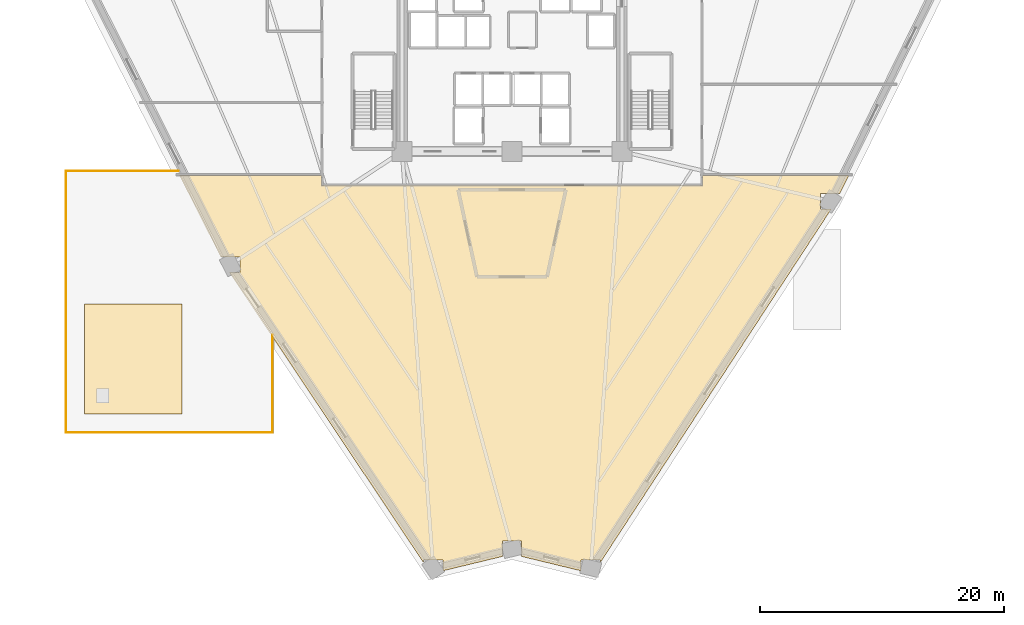
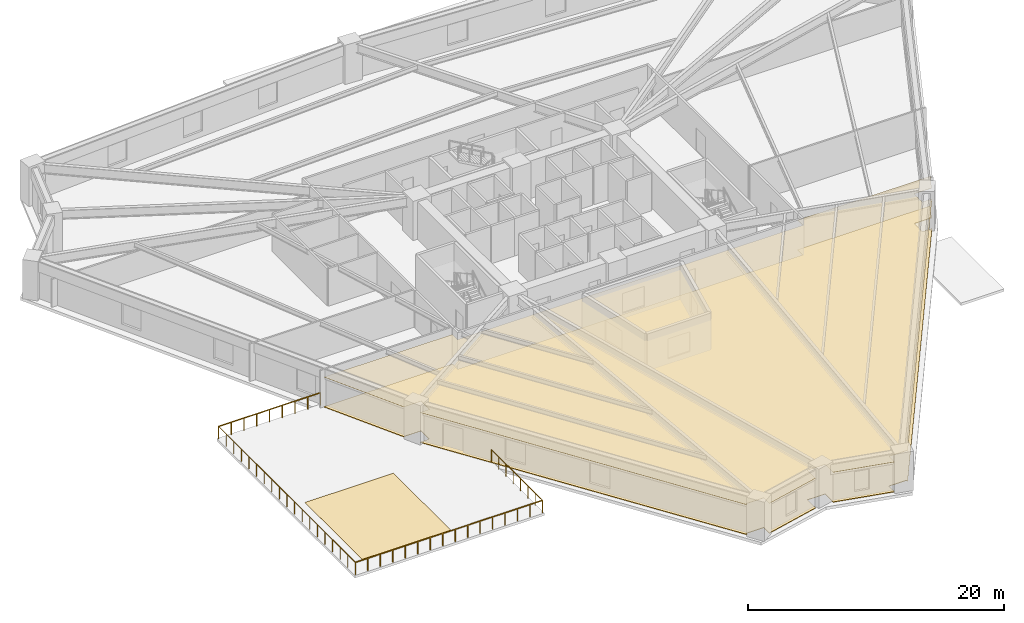
# One storey, part 8 of 9: 4 railings, 3 coverings.
"""IFC4 building model written with IfcOpenShell, lengths in metres."""

import ifcopenshell
import ifcopenshell.guid

model = None  # the IFC model being written
_history = None  # IfcOwnerHistory: only IFC2X3 demands one
_inside = {}  # id of a spatial element -> (the spatial element, [elements in it])
_under = {}  # id of a project, library or spatial element -> (it, [spatial elements below it])
_declared = {}  # id of a project -> (the project, [libraries it declares])
_typed = {}  # id of a type object -> (the type object, [elements of that type])
_made_of = {}  # id of a material, layer set ... -> (it, [elements and type objects made of it])


def new_model(schema):
    """Start an empty IFC model of exactly this schema.

    Asked for "IFC4X3", IfcOpenShell would pick the latest addendum, in which some entities
    have other attributes; the version numbers below select the first issue.
    IFC2X3 requires an IfcOwnerHistory on every rooted entity: one is made here for all.
    """
    global model, _history
    if schema == "IFC4X3":
        model = ifcopenshell.file(schema_version=(4, 3, 0, 0))
    else:
        model = ifcopenshell.file(schema=schema)
    _inside.clear()
    _under.clear()
    _declared.clear()
    _typed.clear()
    _made_of.clear()
    _history = None
    if model.schema == "IFC2X3":
        org = make("IfcOrganization", Name="unknown")
        user = make(
            "IfcPersonAndOrganization",
            ThePerson=make("IfcPerson", FamilyName="unknown"),
            TheOrganization=org,
        )
        app = make(
            "IfcApplication",
            ApplicationDeveloper=org,
            Version="unknown",
            ApplicationFullName="unknown",
            ApplicationIdentifier="unknown",
        )
        _history = make(
            "IfcOwnerHistory",
            OwningUser=user,
            OwningApplication=app,
            ChangeAction="ADDED",
            CreationDate=0,
        )
    return model


def make(cls, **values):
    """One entity of the class cls with the attributes given. An attribute that is None is left unset."""
    return model.create_entity(
        cls, **{name: value for name, value in values.items() if value is not None}
    )


def rooted(cls, **values):
    """An entity with a GlobalId (a new one), such as an element, a storey or a relation."""
    return make(cls, GlobalId=ifcopenshell.guid.new(), OwnerHistory=_history, **values)


def si_unit(unit_type, name, prefix=None):
    """IfcSIUnit, for example si_unit("LENGTHUNIT", "METRE", prefix="MILLI")."""
    return make("IfcSIUnit", UnitType=unit_type, Prefix=prefix, Name=name)


def assignment(units):
    """IfcUnitAssignment: the units of a project."""
    return None if units is None else make("IfcUnitAssignment", Units=units)


def point(xyz):
    """IfcCartesianPoint."""
    return None if xyz is None else make("IfcCartesianPoint", Coordinates=xyz)


def direction(xyz):
    """IfcDirection."""
    return None if xyz is None else make("IfcDirection", DirectionRatios=xyz)


def frame(location, z_axis=None, x_axis=None):
    """IfcAxis2Placement3D, a coordinate frame: its origin and axes. An axis left out is left unset."""
    return make(
        "IfcAxis2Placement3D",
        Location=point(location),
        Axis=direction(z_axis),
        RefDirection=direction(x_axis),
    )


def frame_2d(location, x_axis=None):
    """IfcAxis2Placement2D, a coordinate frame in the plane: its origin and x axis."""
    return make(
        "IfcAxis2Placement2D", Location=point(location), RefDirection=direction(x_axis)
    )


def origin():
    """The frame at (0, 0, 0) with its axes left unset."""
    return frame((0.0, 0.0, 0.0))


def origin_2d():
    """The frame at (0, 0) in the plane with its x axis left unset."""
    return frame_2d((0.0, 0.0))


def place(relative_to, where):
    """IfcLocalPlacement: puts the frame where relative to a parent placement (None: the world)."""
    return make(
        "IfcLocalPlacement", PlacementRelTo=relative_to, RelativePlacement=where
    )


def context(
    kind, dimensions, precision=None, world=None, true_north=None, identifier=None
):
    """IfcGeometricRepresentationContext, for example the 3D "Model" context."""
    return make(
        "IfcGeometricRepresentationContext",
        ContextIdentifier=identifier,
        ContextType=kind,
        CoordinateSpaceDimension=dimensions,
        Precision=precision,
        WorldCoordinateSystem=world,
        TrueNorth=true_north,
    )


def subcontext(parent, identifier, kind, view, scale=None):
    """IfcGeometricRepresentationSubContext, for example "Body" below "Model"."""
    return make(
        "IfcGeometricRepresentationSubContext",
        ContextIdentifier=identifier,
        ContextType=kind,
        ParentContext=parent,
        TargetScale=scale,
        TargetView=view,
    )


def project(units=None, contexts=None):
    """IfcProject with its units and contexts."""
    return rooted(
        "IfcProject",
        Name="project",
        RepresentationContexts=contexts,
        UnitsInContext=assignment(units),
    )


def spatial(cls, under=None, at=None, **own):
    """A site, building, storey or space (cls), placed at a placement, below another one or the project."""
    s = rooted(cls, ObjectPlacement=at, **own)
    if under is not None:
        _under.setdefault(under.id(), (under, []))[1].append(s)
    return s


def polyline(points):
    """IfcPolyline through the points."""
    return make("IfcPolyline", Points=[point(p) for p in points])


def profile(cls, at=None, kind="AREA", **sizes):
    """A parametric profile (cls). Its sizes go by their IFC names, for example OverallWidth=200.0."""
    return make(cls, ProfileType=kind, Position=at, **sizes)


def rectangle(**sizes):
    """IfcRectangleProfileDef."""
    return profile("IfcRectangleProfileDef", **sizes)


def outline(outer, holes=None, kind="AREA"):
    """IfcArbitraryClosedProfileDef: a profile drawn as a closed curve; with holes, ...WithVoids."""
    if holes is None:
        return make("IfcArbitraryClosedProfileDef", ProfileType=kind, OuterCurve=outer)
    return make(
        "IfcArbitraryProfileDefWithVoids",
        ProfileType=kind,
        OuterCurve=outer,
        InnerCurves=holes,
    )


def extrude(swept, where, along, depth):
    """IfcExtrudedAreaSolid: the profile swept, set in the frame where, extruded along a direction by depth."""
    return make(
        "IfcExtrudedAreaSolid",
        SweptArea=swept,
        Position=where,
        ExtrudedDirection=direction(along),
        Depth=depth,
    )


def shape(context_of_items, identifier, shape_type, items):
    """IfcShapeRepresentation: the items that make up one representation, for example the "Body"."""
    return make(
        "IfcShapeRepresentation",
        ContextOfItems=context_of_items,
        RepresentationIdentifier=identifier,
        RepresentationType=shape_type,
        Items=items,
    )


def material(Name=None, Category=None):
    """IfcMaterial."""
    return make("IfcMaterial", Name=Name, Category=Category)


def layer(
    of_material, thickness, ventilated=None, Name=None, Category=None, Priority=None
):
    """IfcMaterialLayer: one layer of a wall or slab, of a material (None: an air gap)."""
    return make(
        "IfcMaterialLayer",
        Material=of_material,
        LayerThickness=thickness,
        IsVentilated=ventilated,
        Name=Name,
        Category=Category,
        Priority=Priority,
    )


def layer_set(layers, Name=None):
    """IfcMaterialLayerSet."""
    return make("IfcMaterialLayerSet", MaterialLayers=layers, LayerSetName=Name)


def made_of(thing, what):
    """Note that an element or type object is made of a material, layer set ...; save() writes the relation."""
    if what is not None:
        _made_of.setdefault(what.id(), (what, []))[1].append(thing)
    return thing


def type_object(cls, material=None, **own):
    """A type object (cls), such as IfcWallType, which elements share."""
    return made_of(rooted(cls, **own), material)


def element(
    cls,
    number,
    at=None,
    inside=None,
    cuts=None,
    type_object=None,
    material=None,
    context=None,
    identifier="Body",
    shape_type=None,
    held_by="IfcProductDefinitionShape",
    body=None,
    shapes=None,
    **own,
):
    """One element of the class cls, such as IfcWall. Its Tag is "e" and its number.

    at: its placement. inside: the storey or other place that contains it. cuts: it is an
    opening in that element (IfcRelVoidsElement). A single representation is given by context,
    identifier, shape_type and body (its items); several are given by shapes. held_by: the class
    of the entity that holds the representations. save() writes the other relations.
    """
    e = rooted(cls, Tag="e%d" % number, ObjectPlacement=at, **own)
    if body is not None:
        shapes = [shape(context, identifier, shape_type, body)]
    if shapes is not None:
        e.Representation = make(held_by, Representations=shapes)
    if inside is not None:
        _inside.setdefault(inside.id(), (inside, []))[1].append(e)
    if cuts is not None:
        rooted(
            "IfcRelVoidsElement", RelatingBuildingElement=cuts, RelatedOpeningElement=e
        )
    if type_object is not None:
        _typed.setdefault(type_object.id(), (type_object, []))[1].append(e)
    return made_of(e, material)


def aggregate(whole, parts):
    """IfcRelAggregates: a whole, such as a stair, and the parts it consists of."""
    return rooted("IfcRelAggregates", RelatingObject=whole, RelatedObjects=parts)


def save(model, path):
    """Write the relations noted so far, then the file.

    IfcRelAggregates (storeys below a building ...), IfcRelContainedInSpatialStructure (elements
    in a storey), IfcRelDefinesByType, IfcRelAssociatesMaterial and IfcRelDeclares: one each for
    every whole, place, type object, material and project.
    """
    for whole, parts in _under.values():
        aggregate(whole, parts)
    for where, things in _inside.values():
        rooted(
            "IfcRelContainedInSpatialStructure",
            RelatedElements=things,
            RelatingStructure=where,
        )
    for kind, things in _typed.values():
        rooted("IfcRelDefinesByType", RelatedObjects=things, RelatingType=kind)
    for what, things in _made_of.values():
        rooted("IfcRelAssociatesMaterial", RelatedObjects=things, RelatingMaterial=what)
    for by, libraries in _declared.values():
        rooted("IfcRelDeclares", RelatingContext=by, RelatedDefinitions=libraries)
    model.write(path)


model = new_model("IFC4")

# Units and contexts
model_context = context("Model", 3, precision=1e-05, world=origin(), true_north=direction((0.0, 1.0)))
body_context = subcontext(model_context, "Body", "Model", "MODEL_VIEW")
ifc_project = project(units=[si_unit("LENGTHUNIT", "METRE"), si_unit("AREAUNIT", "SQUARE_METRE"), si_unit("VOLUMEUNIT", "CUBIC_METRE"), si_unit("PLANEANGLEUNIT", "RADIAN"), si_unit("MASSUNIT", "GRAM", prefix="KILO")], contexts=[model_context])

# Site, building, storey
site_placement = place(None, origin())
site = spatial("IfcSite", under=ifc_project, at=site_placement, CompositionType="ELEMENT")
building_placement = place(site_placement, origin())
building = spatial("IfcBuilding", under=site, at=building_placement, Name="Liaohun Quay Tower", CompositionType="ELEMENT")
storey_placement = place(building_placement, frame((0.0, 0.0, 28.5)))
storey = spatial("IfcBuildingStorey", under=building, at=storey_placement, Name="L07", CompositionType="ELEMENT", Elevation=28.5)

# Coverings
ifc_material_1 = material(Name="Mineral-fibre acoustic ceiling tile")
ifc_layer_1 = layer(ifc_material_1, 0.02490234375, Name="Mineral-fibre acoustic ceiling tile")
ifc_layer_set_1 = layer_set([ifc_layer_1], Name="Mineral-fibre acoustic ceiling tile")
covering_type_1 = type_object("IfcCoveringType", Name="COV-CEIL-ACT", PredefinedType="CEILING", material=ifc_layer_set_1)
covering_1_placement = place(storey_placement, frame((0.0, 0.0, 2.85009765625)))
element("IfcCovering", 1, at=covering_1_placement, inside=storey, type_object=covering_type_1, Name="L07 Technical Reference Library 05 Acoustic Ceiling", PredefinedType="CEILING", context=body_context, shape_type="SweptSolid", body=[
    extrude(outline(polyline([(32.782958984375, 44.52490234375), (36.155029296875, 37.862060546875), (37.736083984375, 37.862060546875), (37.736083984375, 36.572021484375), (36.87890625, 36.572021484375), (52.7509765625, 12.847900390625), (52.7509765625, 13.0419921875), (54.341064453125, 13.0419921875), (54.341064453125, 12.16796875), (59.205078125, 13.343017578125), (59.205078125, 14.60107421875), (60.794921875, 14.60107421875), (60.794921875, 13.343017578125), (65.653076171875, 12.1689453125), (65.653076171875, 13.0439453125), (67.242919921875, 13.0439453125), (67.242919921875, 12.866943359375), (86.133056640625, 41.778076171875), (85.26904296875, 41.778076171875), (85.26904296875, 43.068115234375), (86.839111328125, 43.068115234375), (87.555908203125, 44.52490234375), (75.580078125, 44.52490234375), (75.580078125, 43.719970703125), (44.419921875, 43.719970703125), (44.419921875, 44.52490234375), (32.782958984375, 44.52490234375)])), origin(), (0.0, 0.0, 1.0), 0.02490234375),
])
ifc_material_2 = material(Name="Calcium-sulphate raised access floor tile")
ifc_layer_2 = layer(ifc_material_2, 0.044921875, Name="Calcium-sulphate raised access floor tile")
ifc_layer_set_2 = layer_set([ifc_layer_2], Name="Calcium-sulphate raised access floor tile")
covering_type_2 = type_object("IfcCoveringType", Name="COV-FLR-RAF", PredefinedType="FLOORING", material=ifc_layer_set_2)
covering_2_placement = place(storey_placement, origin())
element("IfcCovering", 2, at=covering_2_placement, inside=storey, type_object=covering_type_2, Name="L07 Technical Reference Library 05 Floor Finish", PredefinedType="FLOORING", context=body_context, shape_type="SweptSolid", body=[
    extrude(outline(polyline([(32.782958984375, 44.52490234375), (36.155029296875, 37.862060546875), (37.736083984375, 37.862060546875), (37.736083984375, 36.572021484375), (36.87890625, 36.572021484375), (52.7509765625, 12.847900390625), (52.7509765625, 13.0419921875), (54.341064453125, 13.0419921875), (54.341064453125, 12.16796875), (59.205078125, 13.343017578125), (59.205078125, 14.60107421875), (60.794921875, 14.60107421875), (60.794921875, 13.343017578125), (65.653076171875, 12.1689453125), (65.653076171875, 13.0439453125), (67.242919921875, 13.0439453125), (67.242919921875, 12.866943359375), (86.133056640625, 41.778076171875), (85.26904296875, 41.778076171875), (85.26904296875, 43.068115234375), (86.839111328125, 43.068115234375), (87.555908203125, 44.52490234375), (75.580078125, 44.52490234375), (75.580078125, 43.719970703125), (44.419921875, 43.719970703125), (44.419921875, 44.52490234375), (32.782958984375, 44.52490234375)])), origin(), (0.0, 0.0, 1.0), 0.044921875),
])
ifc_material_3 = material(Name="SBS waterproof membrane and extruded polystyrene insulation")
ifc_layer_3 = layer(ifc_material_3, 0.030029296875, Name="SBS waterproof membrane and extruded polystyrene insulation")
ifc_layer_set_3 = layer_set([ifc_layer_3], Name="SBS waterproof membrane and extruded polystyrene insulation")
covering_type_3 = type_object("IfcCoveringType", Name="COV-ROOF-MEM", PredefinedType="ROOFING", material=ifc_layer_set_3)
covering_3_placement = place(storey_placement, frame((0.0, 0.0, -0.030029296875)))
element("IfcCovering", 3, at=covering_3_placement, inside=storey, type_object=covering_type_3, Name="L07 Podium Roof Garden Waterproofing Membrane", PredefinedType="ROOFING", context=body_context, shape_type="SweptSolid", body=[
    extrude(outline(polyline([(25.0, 25.0), (33.0, 25.0), (33.0, 34.0), (25.0, 34.0), (25.0, 25.0)])), origin(), (0.0, 0.0, 1.0), 0.030029296875),
])

# Railings
ifc_material_4 = material(Name="Galvanised and powder-coated steel", Category="steel")
railing_type = type_object("IfcRailingType", Name="RLG-GUARD-EXT", PredefinedType="GUARDRAIL", material=ifc_material_4)
railing_1_placement = place(storey_placement, frame((23.5, 23.5, 0.0)))
element("IfcRailing", 4, at=railing_1_placement, inside=storey, type_object=railing_type, Name="L07 L07 Podium Roof Garden Guardrail 01", PredefinedType="GUARDRAIL", context=body_context, shape_type="SweptSolid", body=[
    extrude(rectangle(XDim=0.048095703125, YDim=0.048095703125, at=origin_2d()), frame((0.0, 0.0, 1.17578125), z_axis=(0.0, 1.0, 0.0), x_axis=(-1.0, 0.0, 0.0)), (0.0, 0.0, 1.0), 21.39990234375),
    extrude(rectangle(XDim=0.0419921875, YDim=0.0419921875, at=origin_2d()), origin(), (0.0, 0.0, 1.0), 1.15185546875),
    extrude(rectangle(XDim=0.0419921875, YDim=0.0419921875, at=origin_2d()), frame((0.0, 1.18896484375, 0.0)), (0.0, 0.0, 1.0), 1.15185546875),
    extrude(rectangle(XDim=0.0419921875, YDim=0.0419921875, at=origin_2d()), frame((0.0, 2.377685546875, 0.0)), (0.0, 0.0, 1.0), 1.15185546875),
    extrude(rectangle(XDim=0.0419921875, YDim=0.0419921875, at=origin_2d()), frame((0.0, 3.566650390625, 0.0)), (0.0, 0.0, 1.0), 1.15185546875),
    extrude(rectangle(XDim=0.0419921875, YDim=0.0419921875, at=origin_2d()), frame((0.0, 4.755615234375, 0.0)), (0.0, 0.0, 1.0), 1.15185546875),
    extrude(rectangle(XDim=0.0419921875, YDim=0.0419921875, at=origin_2d()), frame((0.0, 5.9443359375, 0.0)), (0.0, 0.0, 1.0), 1.15185546875),
    extrude(rectangle(XDim=0.0419921875, YDim=0.0419921875, at=origin_2d()), frame((0.0, 7.13330078125, 0.0)), (0.0, 0.0, 1.0), 1.15185546875),
    extrude(rectangle(XDim=0.0419921875, YDim=0.0419921875, at=origin_2d()), frame((0.0, 8.322265625, 0.0)), (0.0, 0.0, 1.0), 1.15185546875),
    extrude(rectangle(XDim=0.0419921875, YDim=0.0419921875, at=origin_2d()), frame((0.0, 9.510986328125, 0.0)), (0.0, 0.0, 1.0), 1.15185546875),
    extrude(rectangle(XDim=0.0419921875, YDim=0.0419921875, at=origin_2d()), frame((0.0, 10.699951171875, 0.0)), (0.0, 0.0, 1.0), 1.15185546875),
    extrude(rectangle(XDim=0.0419921875, YDim=0.0419921875, at=origin_2d()), frame((0.0, 11.888916015625, 0.0)), (0.0, 0.0, 1.0), 1.15185546875),
    extrude(rectangle(XDim=0.0419921875, YDim=0.0419921875, at=origin_2d()), frame((0.0, 13.07763671875, 0.0)), (0.0, 0.0, 1.0), 1.15185546875),
    extrude(rectangle(XDim=0.0419921875, YDim=0.0419921875, at=origin_2d()), frame((0.0, 14.2666015625, 0.0)), (0.0, 0.0, 1.0), 1.15185546875),
    extrude(rectangle(XDim=0.0419921875, YDim=0.0419921875, at=origin_2d()), frame((0.0, 15.45556640625, 0.0)), (0.0, 0.0, 1.0), 1.15185546875),
    extrude(rectangle(XDim=0.0419921875, YDim=0.0419921875, at=origin_2d()), frame((0.0, 16.644287109375, 0.0)), (0.0, 0.0, 1.0), 1.15185546875),
    extrude(rectangle(XDim=0.0419921875, YDim=0.0419921875, at=origin_2d()), frame((0.0, 17.833251953125, 0.0)), (0.0, 0.0, 1.0), 1.15185546875),
    extrude(rectangle(XDim=0.0419921875, YDim=0.0419921875, at=origin_2d()), frame((0.0, 19.022216796875, 0.0)), (0.0, 0.0, 1.0), 1.15185546875),
    extrude(rectangle(XDim=0.0419921875, YDim=0.0419921875, at=origin_2d()), frame((0.0, 20.2109375, 0.0)), (0.0, 0.0, 1.0), 1.15185546875),
    extrude(rectangle(XDim=0.0419921875, YDim=0.0419921875, at=origin_2d()), frame((0.0, 21.39990234375, 0.0)), (0.0, 0.0, 1.0), 1.15185546875),
])
railing_2_placement = place(storey_placement, frame((23.5, 44.89990234375, 0.0)))
element("IfcRailing", 5, at=railing_2_placement, inside=storey, type_object=railing_type, Name="L07 L07 Podium Roof Garden Guardrail 02", PredefinedType="GUARDRAIL", context=body_context, shape_type="SweptSolid", body=[
    extrude(rectangle(XDim=0.048095703125, YDim=0.048095703125, at=origin_2d()), frame((0.0, 0.0, 1.17578125), z_axis=(1.0, 0.0, 0.0), x_axis=(0.0, 1.0, 0.0)), (0.0, 0.0, 1.0), 9.2060546875),
    extrude(rectangle(XDim=0.0419921875, YDim=0.0419921875, at=origin_2d()), origin(), (0.0, 0.0, 1.0), 1.15185546875),
    extrude(rectangle(XDim=0.0419921875, YDim=0.0419921875, at=origin_2d()), frame((1.15087890625, 0.0, 0.0)), (0.0, 0.0, 1.0), 1.15185546875),
    extrude(rectangle(XDim=0.0419921875, YDim=0.0419921875, at=origin_2d()), frame((2.301513671875, 0.0, 0.0)), (0.0, 0.0, 1.0), 1.15185546875),
    extrude(rectangle(XDim=0.0419921875, YDim=0.0419921875, at=origin_2d()), frame((3.4521484375, 0.0, 0.0)), (0.0, 0.0, 1.0), 1.15185546875),
    extrude(rectangle(XDim=0.0419921875, YDim=0.0419921875, at=origin_2d()), frame((4.60302734375, 0.0, 0.0)), (0.0, 0.0, 1.0), 1.15185546875),
    extrude(rectangle(XDim=0.0419921875, YDim=0.0419921875, at=origin_2d()), frame((5.75390625, 0.0, 0.0)), (0.0, 0.0, 1.0), 1.15185546875),
    extrude(rectangle(XDim=0.0419921875, YDim=0.0419921875, at=origin_2d()), frame((6.904541015625, 0.0, 0.0)), (0.0, 0.0, 1.0), 1.15185546875),
    extrude(rectangle(XDim=0.0419921875, YDim=0.0419921875, at=origin_2d()), frame((8.05517578125, 0.0, 0.0)), (0.0, 0.0, 1.0), 1.15185546875),
    extrude(rectangle(XDim=0.0419921875, YDim=0.0419921875, at=origin_2d()), frame((9.2060546875, 0.0, 0.0)), (0.0, 0.0, 1.0), 1.15185546875),
])
railing_3_placement = place(storey_placement, frame((40.39990234375, 31.489990234375, 0.0)))
element("IfcRailing", 6, at=railing_3_placement, inside=storey, type_object=railing_type, Name="L07 L07 Podium Roof Garden Guardrail 03", PredefinedType="GUARDRAIL", context=body_context, shape_type="SweptSolid", body=[
    extrude(rectangle(XDim=0.048095703125, YDim=0.048095703125, at=origin_2d()), frame((0.0, 0.0, 1.17578125), z_axis=(0.0, -1.0, 0.0), x_axis=(1.0, 0.0, 0.0)), (0.0, 0.0, 1.0), 7.989990234375),
    extrude(rectangle(XDim=0.0419921875, YDim=0.0419921875, at=origin_2d()), origin(), (0.0, 0.0, 1.0), 1.15185546875),
    extrude(rectangle(XDim=0.0419921875, YDim=0.0419921875, at=origin_2d()), frame((0.0, -1.141357421875, 0.0)), (0.0, 0.0, 1.0), 1.15185546875),
    extrude(rectangle(XDim=0.0419921875, YDim=0.0419921875, at=origin_2d()), frame((0.0, -2.282958984375, 0.0)), (0.0, 0.0, 1.0), 1.15185546875),
    extrude(rectangle(XDim=0.0419921875, YDim=0.0419921875, at=origin_2d()), frame((0.0, -3.42431640625, 0.0)), (0.0, 0.0, 1.0), 1.15185546875),
    extrude(rectangle(XDim=0.0419921875, YDim=0.0419921875, at=origin_2d()), frame((0.0, -4.565673828125, 0.0)), (0.0, 0.0, 1.0), 1.15185546875),
    extrude(rectangle(XDim=0.0419921875, YDim=0.0419921875, at=origin_2d()), frame((0.0, -5.70703125, 0.0)), (0.0, 0.0, 1.0), 1.15185546875),
    extrude(rectangle(XDim=0.0419921875, YDim=0.0419921875, at=origin_2d()), frame((0.0, -6.8486328125, 0.0)), (0.0, 0.0, 1.0), 1.15185546875),
    extrude(rectangle(XDim=0.0419921875, YDim=0.0419921875, at=origin_2d()), frame((0.0, -7.989990234375, 0.0)), (0.0, 0.0, 1.0), 1.15185546875),
])
railing_4_placement = place(storey_placement, frame((40.39990234375, 23.5, 0.0)))
element("IfcRailing", 7, at=railing_4_placement, inside=storey, type_object=railing_type, Name="L07 L07 Podium Roof Garden Guardrail 04", PredefinedType="GUARDRAIL", context=body_context, shape_type="SweptSolid", body=[
    extrude(rectangle(XDim=0.048095703125, YDim=0.048095703125, at=origin_2d()), frame((0.0, 0.0, 1.17578125), z_axis=(-1.0, 0.0, 0.0), x_axis=(0.0, -1.0, 0.0)), (0.0, 0.0, 1.0), 16.89990234375),
    extrude(rectangle(XDim=0.0419921875, YDim=0.0419921875, at=origin_2d()), origin(), (0.0, 0.0, 1.0), 1.15185546875),
    extrude(rectangle(XDim=0.0419921875, YDim=0.0419921875, at=origin_2d()), frame((-1.126708984375, 0.0, 0.0)), (0.0, 0.0, 1.0), 1.15185546875),
    extrude(rectangle(XDim=0.0419921875, YDim=0.0419921875, at=origin_2d()), frame((-2.25341796875, 0.0, 0.0)), (0.0, 0.0, 1.0), 1.15185546875),
    extrude(rectangle(XDim=0.0419921875, YDim=0.0419921875, at=origin_2d()), frame((-3.3798828125, 0.0, 0.0)), (0.0, 0.0, 1.0), 1.15185546875),
    extrude(rectangle(XDim=0.0419921875, YDim=0.0419921875, at=origin_2d()), frame((-4.506591796875, 0.0, 0.0)), (0.0, 0.0, 1.0), 1.15185546875),
    extrude(rectangle(XDim=0.0419921875, YDim=0.0419921875, at=origin_2d()), frame((-5.63330078125, 0.0, 0.0)), (0.0, 0.0, 1.0), 1.15185546875),
    extrude(rectangle(XDim=0.0419921875, YDim=0.0419921875, at=origin_2d()), frame((-6.760009765625, 0.0, 0.0)), (0.0, 0.0, 1.0), 1.15185546875),
    extrude(rectangle(XDim=0.0419921875, YDim=0.0419921875, at=origin_2d()), frame((-7.88671875, 0.0, 0.0)), (0.0, 0.0, 1.0), 1.15185546875),
    extrude(rectangle(XDim=0.0419921875, YDim=0.0419921875, at=origin_2d()), frame((-9.01318359375, 0.0, 0.0)), (0.0, 0.0, 1.0), 1.15185546875),
    extrude(rectangle(XDim=0.0419921875, YDim=0.0419921875, at=origin_2d()), frame((-10.139892578125, 0.0, 0.0)), (0.0, 0.0, 1.0), 1.15185546875),
    extrude(rectangle(XDim=0.0419921875, YDim=0.0419921875, at=origin_2d()), frame((-11.2666015625, 0.0, 0.0)), (0.0, 0.0, 1.0), 1.15185546875),
    extrude(rectangle(XDim=0.0419921875, YDim=0.0419921875, at=origin_2d()), frame((-12.393310546875, 0.0, 0.0)), (0.0, 0.0, 1.0), 1.15185546875),
    extrude(rectangle(XDim=0.0419921875, YDim=0.0419921875, at=origin_2d()), frame((-13.52001953125, 0.0, 0.0)), (0.0, 0.0, 1.0), 1.15185546875),
    extrude(rectangle(XDim=0.0419921875, YDim=0.0419921875, at=origin_2d()), frame((-14.646484375, 0.0, 0.0)), (0.0, 0.0, 1.0), 1.15185546875),
    extrude(rectangle(XDim=0.0419921875, YDim=0.0419921875, at=origin_2d()), frame((-15.773193359375, 0.0, 0.0)), (0.0, 0.0, 1.0), 1.15185546875),
    extrude(rectangle(XDim=0.0419921875, YDim=0.0419921875, at=origin_2d()), frame((-16.89990234375, 0.0, 0.0)), (0.0, 0.0, 1.0), 1.15185546875),
])

save(model, "model.ifc")
